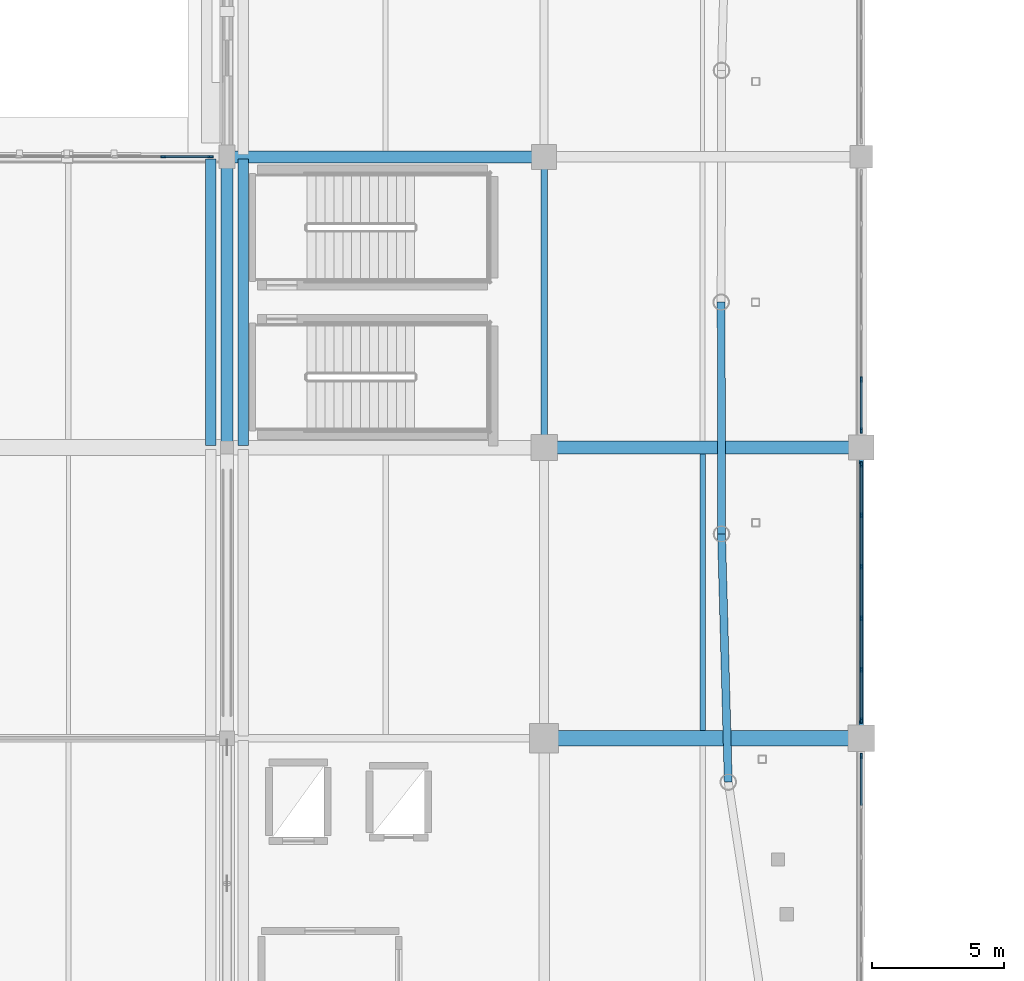
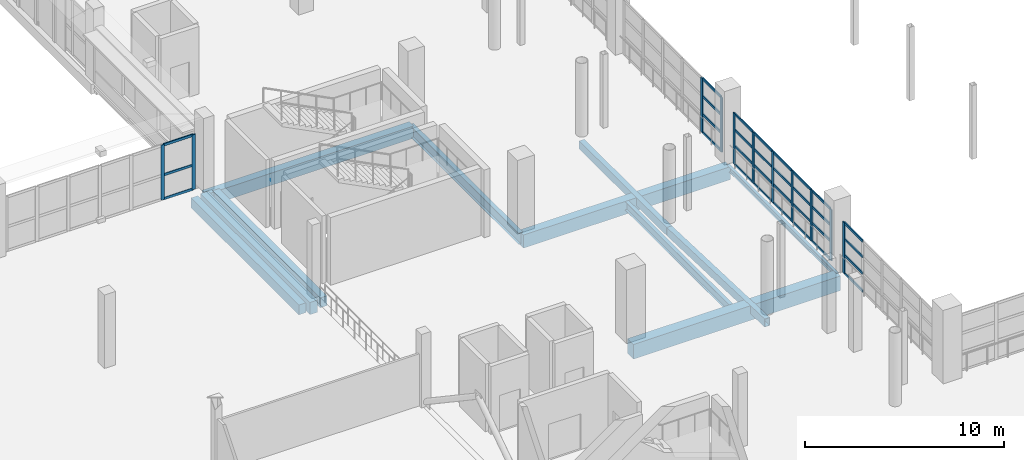
# One storey, part 31 of 118: 42 members, 11 beams, 4 elements without a shape of their own.
"""IFC4 building model written with IfcOpenShell, lengths in metres."""

from ifc_helpers import new_model, si_unit, direction, frame, origin, origin_2d, place, context, subcontext, project, spatial, rectangle, hollow_rectangle, i_section, extrude, material, material_profile, profile_set, type_object, element, aggregate, save


model = new_model("IFC4")

# Units and contexts
model_context = context("Model", 3, precision=1e-05, world=origin(), true_north=direction((0.0, 1.0)))
body_context = subcontext(model_context, "Body", "Model", "MODEL_VIEW")
ifc_project = project(units=[si_unit("LENGTHUNIT", "METRE"), si_unit("AREAUNIT", "SQUARE_METRE"), si_unit("VOLUMEUNIT", "CUBIC_METRE"), si_unit("PLANEANGLEUNIT", "RADIAN"), si_unit("MASSUNIT", "GRAM", prefix="KILO")], contexts=[model_context])

# Site, building, storey
site_placement = place(None, origin())
site = spatial("IfcSite", under=ifc_project, at=site_placement, CompositionType="ELEMENT")
building_placement = place(site_placement, origin())
building = spatial("IfcBuilding", under=site, at=building_placement, Name="Luwafu Chhajja Arena", CompositionType="ELEMENT")
storey_placement = place(building_placement, frame((0.0, 0.0, 10.199951171875)))
storey = spatial("IfcBuildingStorey", under=building, at=storey_placement, Name="L02", CompositionType="ELEMENT", Elevation=10.199951171875)

# Curtain wall, members
ifc_material_1 = material(Name="Anodised bronze aluminium", Category="aluminium")
curtain_wall_type_1 = type_object("IfcCurtainWallType", Name="VIP Club Terrace Curtain Wall", PredefinedType="USERDEFINED", material=ifc_material_1)
curtain_wall_1_placement = place(storey_placement, origin())
curtain_wall_1 = element("IfcCurtainWall", 1, at=curtain_wall_1_placement, inside=storey, type_object=curtain_wall_type_1, Name="L02 Curtain Wall CWG-L02-H02_05", ObjectType="CURTAIN WALL", PredefinedType="USERDEFINED")
ifc_material_profile_1 = material_profile(ifc_material_1, rectangle(XDim=0.06494140625, YDim=0.199951171875, at=origin_2d()), Name="CWM 65x200")
ifc_profile_set_1 = profile_set([ifc_material_profile_1], Name="Anodised bronze aluminium")
member_type_1 = type_object("IfcMemberType", Name="Bronze Curtain Wall Mullion 65x200", PredefinedType="MULLION", material=ifc_profile_set_1)
member_1_placement = place(storey_placement, frame((31.5859375, 55.0, 0.030029296875), z_axis=(0.0, 0.0, 1.0), x_axis=(0.0, 1.0, 0.0)))
member_1 = element("IfcMember", 2, at=member_1_placement, type_object=member_type_1, Name="CW-10 mullion 6", PredefinedType="MULLION", context=body_context, shape_type="SweptSolid", body=[
    extrude(rectangle(XDim=0.06494140625, YDim=0.199951171875, at=origin_2d()), origin(), (0.0, 0.0, 1.0), 3.360107421875),
])
member_2_placement = place(storey_placement, frame((33.37744140625, 55.0, 0.030029296875), z_axis=(0.0, 0.0, 1.0), x_axis=(0.0, 1.0, 0.0)))
member_2 = element("IfcMember", 3, at=member_2_placement, type_object=member_type_1, Name="CW-10 mullion 7", PredefinedType="MULLION", context=body_context, shape_type="SweptSolid", body=[
    extrude(rectangle(XDim=0.06494140625, YDim=0.199951171875, at=origin_2d()), origin(), (0.0, 0.0, 1.0), 3.360107421875),
])

# Curtain wall, member
curtain_wall_type_2 = type_object("IfcCurtainWallType", Name="Hospitality Ring Curtain Wall", PredefinedType="USERDEFINED", material=ifc_material_1)
curtain_wall_2_placement = place(storey_placement, origin())
curtain_wall_2 = element("IfcCurtainWall", 4, at=curtain_wall_2_placement, inside=storey, type_object=curtain_wall_type_2, Name="L02 Bowl Viewing Curtain Wall CWR-L02-15", ObjectType="CURTAIN WALL", PredefinedType="USERDEFINED")
member_3_placement = place(storey_placement, frame((58.0, 32.327392578125, 0.0), z_axis=(0.0, 0.0, 1.0), x_axis=(-1.0, 0.0, 0.0)))
member_3 = element("IfcMember", 5, at=member_3_placement, type_object=member_type_1, Name="CW-02 mullion 6", PredefinedType="MULLION", context=body_context, shape_type="SweptSolid", body=[
    extrude(rectangle(XDim=0.06494140625, YDim=0.199951171875, at=origin_2d()), origin(), (0.0, 0.0, 1.0), 3.14013671875),
])

# Curtain wall, members
curtain_wall_3_placement = place(storey_placement, origin())
curtain_wall_3 = element("IfcCurtainWall", 6, at=curtain_wall_3_placement, inside=storey, type_object=curtain_wall_type_2, Name="L02 Bowl Viewing Curtain Wall CWR-L02-16", ObjectType="CURTAIN WALL", PredefinedType="USERDEFINED")
member_4_placement = place(storey_placement, frame((58.0, 33.672607421875, 0.0), z_axis=(0.0, 0.0, 1.0), x_axis=(-1.0, 0.0, 0.0)))
member_4 = element("IfcMember", 7, at=member_4_placement, type_object=member_type_1, Name="CW-02 mullion 1", PredefinedType="MULLION", context=body_context, shape_type="SweptSolid", body=[
    extrude(rectangle(XDim=0.06494140625, YDim=0.199951171875, at=origin_2d()), origin(), (0.0, 0.0, 1.0), 3.14013671875),
])
member_5_placement = place(storey_placement, frame((58.0, 35.589111328125, 0.0), z_axis=(0.0, 0.0, 1.0), x_axis=(-1.0, 0.0, 0.0)))
member_5 = element("IfcMember", 8, at=member_5_placement, type_object=member_type_1, Name="CW-02 mullion 2", PredefinedType="MULLION", context=body_context, shape_type="SweptSolid", body=[
    extrude(rectangle(XDim=0.06494140625, YDim=0.199951171875, at=origin_2d()), origin(), (0.0, 0.0, 1.0), 3.14013671875),
])
member_6_placement = place(storey_placement, frame((58.0, 37.5380859375, 0.0), z_axis=(0.0, 0.0, 1.0), x_axis=(-1.0, 0.0, 0.0)))
member_6 = element("IfcMember", 9, at=member_6_placement, type_object=member_type_1, Name="CW-02 mullion 3", PredefinedType="MULLION", context=body_context, shape_type="SweptSolid", body=[
    extrude(rectangle(XDim=0.06494140625, YDim=0.199951171875, at=origin_2d()), origin(), (0.0, 0.0, 1.0), 3.14013671875),
])
member_7_placement = place(storey_placement, frame((58.0, 39.487060546875, 0.0), z_axis=(0.0, 0.0, 1.0), x_axis=(-1.0, 0.0, 0.0)))
member_7 = element("IfcMember", 10, at=member_7_placement, type_object=member_type_1, Name="CW-02 mullion 4", PredefinedType="MULLION", context=body_context, shape_type="SweptSolid", body=[
    extrude(rectangle(XDim=0.06494140625, YDim=0.199951171875, at=origin_2d()), origin(), (0.0, 0.0, 1.0), 3.14013671875),
])
member_8_placement = place(storey_placement, frame((58.0, 41.43603515625, 0.0), z_axis=(0.0, 0.0, 1.0), x_axis=(-1.0, 0.0, 0.0)))
member_8 = element("IfcMember", 11, at=member_8_placement, type_object=member_type_1, Name="CW-02 mullion 5", PredefinedType="MULLION", context=body_context, shape_type="SweptSolid", body=[
    extrude(rectangle(XDim=0.06494140625, YDim=0.199951171875, at=origin_2d()), origin(), (0.0, 0.0, 1.0), 3.14013671875),
])
member_9_placement = place(storey_placement, frame((58.0, 43.3525390625, 0.0), z_axis=(0.0, 0.0, 1.0), x_axis=(-1.0, 0.0, 0.0)))
member_9 = element("IfcMember", 12, at=member_9_placement, type_object=member_type_1, Name="CW-02 mullion 6", PredefinedType="MULLION", context=body_context, shape_type="SweptSolid", body=[
    extrude(rectangle(XDim=0.06494140625, YDim=0.199951171875, at=origin_2d()), origin(), (0.0, 0.0, 1.0), 3.14013671875),
])

curtain_wall_4_placement = place(storey_placement, origin())
curtain_wall_4 = element("IfcCurtainWall", 13, at=curtain_wall_4_placement, inside=storey, type_object=curtain_wall_type_2, Name="L02 Bowl Viewing Curtain Wall CWR-L02-17", ObjectType="CURTAIN WALL", PredefinedType="USERDEFINED")
member_10_placement = place(storey_placement, frame((58.0, 44.6474609375, 0.0), z_axis=(0.0, 0.0, 1.0), x_axis=(-1.0, 0.0, 0.0)))
member_10 = element("IfcMember", 14, at=member_10_placement, type_object=member_type_1, Name="CW-02 mullion 1", PredefinedType="MULLION", context=body_context, shape_type="SweptSolid", body=[
    extrude(rectangle(XDim=0.06494140625, YDim=0.199951171875, at=origin_2d()), origin(), (0.0, 0.0, 1.0), 3.340087890625),
])
member_11_placement = place(storey_placement, frame((58.0, 46.5791015625, 0.0), z_axis=(0.0, 0.0, 1.0), x_axis=(-1.0, 0.0, 0.0)))
member_11 = element("IfcMember", 15, at=member_11_placement, type_object=member_type_1, Name="CW-02 mullion 2", PredefinedType="MULLION", context=body_context, shape_type="SweptSolid", body=[
    extrude(rectangle(XDim=0.06494140625, YDim=0.199951171875, at=origin_2d()), origin(), (0.0, 0.0, 1.0), 3.340087890625),
])

# Member
ifc_material_profile_2 = material_profile(ifc_material_1, rectangle(XDim=0.06494140625, YDim=0.14990234375, at=origin_2d()), Name="CWT 65x150")
ifc_profile_set_2 = profile_set([ifc_material_profile_2], Name="Anodised bronze aluminium")
member_type_2 = type_object("IfcMemberType", Name="Bronze Curtain Wall Transom 65x150", PredefinedType="USERDEFINED", material=ifc_profile_set_2)
member_12_placement = place(storey_placement, frame((31.618408203125, 55.0, 0.0625), z_axis=(1.0, 0.0, 0.0), x_axis=(0.0, 1.0, 0.0)))
member_12 = element("IfcMember", 16, at=member_12_placement, type_object=member_type_2, Name="CW-10 transom 6.1", ObjectType="TRANSOM", PredefinedType="USERDEFINED", context=body_context, shape_type="SweptSolid", body=[
    extrude(rectangle(XDim=0.06494140625, YDim=0.14990234375, at=origin_2d()), origin(), (0.0, 0.0, 1.0), 1.7265625),
])

member_13_placement = place(storey_placement, frame((31.618408203125, 55.0, 1.525634765625), z_axis=(1.0, 0.0, 0.0), x_axis=(0.0, 1.0, 0.0)))
member_13 = element("IfcMember", 17, at=member_13_placement, type_object=member_type_2, Name="CW-10 transom 6.2", ObjectType="TRANSOM", PredefinedType="USERDEFINED", context=body_context, shape_type="SweptSolid", body=[
    extrude(rectangle(XDim=0.06494140625, YDim=0.14990234375, at=origin_2d()), origin(), (0.0, 0.0, 1.0), 1.7265625),
])

member_14_placement = place(storey_placement, frame((31.618408203125, 55.0, 3.357666015625), z_axis=(1.0, 0.0, 0.0), x_axis=(0.0, 1.0, 0.0)))
member_14 = element("IfcMember", 18, at=member_14_placement, type_object=member_type_2, Name="CW-10 transom 6.3", ObjectType="TRANSOM", PredefinedType="USERDEFINED", context=body_context, shape_type="SweptSolid", body=[
    extrude(rectangle(XDim=0.06494140625, YDim=0.14990234375, at=origin_2d()), origin(), (0.0, 0.0, 1.0), 1.7265625),
])

aggregate(curtain_wall_1, [member_1, member_2, member_12, member_13, member_14])

member_15_placement = place(storey_placement, frame((58.0, 30.45849609375, 0.032470703125), z_axis=(0.0, 1.0, 0.0), x_axis=(-1.0, 0.0, 0.0)))
member_15 = element("IfcMember", 19, at=member_15_placement, type_object=member_type_2, Name="CW-02 transom 5.1", ObjectType="TRANSOM", PredefinedType="USERDEFINED", context=body_context, shape_type="SweptSolid", body=[
    extrude(rectangle(XDim=0.06494140625, YDim=0.14990234375, at=origin_2d()), origin(), (0.0, 0.0, 1.0), 1.83642578125),
])

member_16_placement = place(storey_placement, frame((58.0, 30.45849609375, 1.150146484375), z_axis=(0.0, 1.0, 0.0), x_axis=(-1.0, 0.0, 0.0)))
member_16 = element("IfcMember", 20, at=member_16_placement, type_object=member_type_2, Name="CW-02 transom 5.2", ObjectType="TRANSOM", PredefinedType="USERDEFINED", context=body_context, shape_type="SweptSolid", body=[
    extrude(rectangle(XDim=0.06494140625, YDim=0.14990234375, at=origin_2d()), origin(), (0.0, 0.0, 1.0), 1.83642578125),
])

member_17_placement = place(storey_placement, frame((58.0, 30.45849609375, 2.14501953125), z_axis=(0.0, 1.0, 0.0), x_axis=(-1.0, 0.0, 0.0)))
member_17 = element("IfcMember", 21, at=member_17_placement, type_object=member_type_2, Name="CW-02 transom 5.3", ObjectType="TRANSOM", PredefinedType="USERDEFINED", context=body_context, shape_type="SweptSolid", body=[
    extrude(rectangle(XDim=0.06494140625, YDim=0.14990234375, at=origin_2d()), origin(), (0.0, 0.0, 1.0), 1.83642578125),
])

member_18_placement = place(storey_placement, frame((58.0, 30.45849609375, 3.107666015625), z_axis=(0.0, 1.0, 0.0), x_axis=(-1.0, 0.0, 0.0)))
member_18 = element("IfcMember", 22, at=member_18_placement, type_object=member_type_2, Name="CW-02 transom 5.4", ObjectType="TRANSOM", PredefinedType="USERDEFINED", context=body_context, shape_type="SweptSolid", body=[
    extrude(rectangle(XDim=0.06494140625, YDim=0.14990234375, at=origin_2d()), origin(), (0.0, 0.0, 1.0), 1.83642578125),
])

aggregate(curtain_wall_2, [member_3, member_15, member_16, member_17, member_18])

member_19_placement = place(storey_placement, frame((58.0, 33.705078125, 0.032470703125), z_axis=(0.0, 1.0, 0.0), x_axis=(-1.0, 0.0, 0.0)))
member_19 = element("IfcMember", 23, at=member_19_placement, type_object=member_type_2, Name="CW-02 transom 1.1", ObjectType="TRANSOM", PredefinedType="USERDEFINED", context=body_context, shape_type="SweptSolid", body=[
    extrude(rectangle(XDim=0.06494140625, YDim=0.14990234375, at=origin_2d()), origin(), (0.0, 0.0, 1.0), 1.851318359375),
])

member_20_placement = place(storey_placement, frame((58.0, 33.705078125, 1.150146484375), z_axis=(0.0, 1.0, 0.0), x_axis=(-1.0, 0.0, 0.0)))
member_20 = element("IfcMember", 24, at=member_20_placement, type_object=member_type_2, Name="CW-02 transom 1.2", ObjectType="TRANSOM", PredefinedType="USERDEFINED", context=body_context, shape_type="SweptSolid", body=[
    extrude(rectangle(XDim=0.06494140625, YDim=0.14990234375, at=origin_2d()), origin(), (0.0, 0.0, 1.0), 1.851318359375),
])

member_21_placement = place(storey_placement, frame((58.0, 33.705078125, 2.14501953125), z_axis=(0.0, 1.0, 0.0), x_axis=(-1.0, 0.0, 0.0)))
member_21 = element("IfcMember", 25, at=member_21_placement, type_object=member_type_2, Name="CW-02 transom 1.3", ObjectType="TRANSOM", PredefinedType="USERDEFINED", context=body_context, shape_type="SweptSolid", body=[
    extrude(rectangle(XDim=0.06494140625, YDim=0.14990234375, at=origin_2d()), origin(), (0.0, 0.0, 1.0), 1.851318359375),
])

member_22_placement = place(storey_placement, frame((58.0, 33.705078125, 3.107666015625), z_axis=(0.0, 1.0, 0.0), x_axis=(-1.0, 0.0, 0.0)))
member_22 = element("IfcMember", 26, at=member_22_placement, type_object=member_type_2, Name="CW-02 transom 1.4", ObjectType="TRANSOM", PredefinedType="USERDEFINED", context=body_context, shape_type="SweptSolid", body=[
    extrude(rectangle(XDim=0.06494140625, YDim=0.14990234375, at=origin_2d()), origin(), (0.0, 0.0, 1.0), 1.851318359375),
])

member_23_placement = place(storey_placement, frame((58.0, 35.62158203125, 0.032470703125), z_axis=(0.0, 1.0, 0.0), x_axis=(-1.0, 0.0, 0.0)))
member_23 = element("IfcMember", 27, at=member_23_placement, type_object=member_type_2, Name="CW-02 transom 2.1", ObjectType="TRANSOM", PredefinedType="USERDEFINED", context=body_context, shape_type="SweptSolid", body=[
    extrude(rectangle(XDim=0.06494140625, YDim=0.14990234375, at=origin_2d()), origin(), (0.0, 0.0, 1.0), 1.884033203125),
])

member_24_placement = place(storey_placement, frame((58.0, 35.62158203125, 1.150146484375), z_axis=(0.0, 1.0, 0.0), x_axis=(-1.0, 0.0, 0.0)))
member_24 = element("IfcMember", 28, at=member_24_placement, type_object=member_type_2, Name="CW-02 transom 2.2", ObjectType="TRANSOM", PredefinedType="USERDEFINED", context=body_context, shape_type="SweptSolid", body=[
    extrude(rectangle(XDim=0.06494140625, YDim=0.14990234375, at=origin_2d()), origin(), (0.0, 0.0, 1.0), 1.884033203125),
])

member_25_placement = place(storey_placement, frame((58.0, 35.62158203125, 2.14501953125), z_axis=(0.0, 1.0, 0.0), x_axis=(-1.0, 0.0, 0.0)))
member_25 = element("IfcMember", 29, at=member_25_placement, type_object=member_type_2, Name="CW-02 transom 2.3", ObjectType="TRANSOM", PredefinedType="USERDEFINED", context=body_context, shape_type="SweptSolid", body=[
    extrude(rectangle(XDim=0.06494140625, YDim=0.14990234375, at=origin_2d()), origin(), (0.0, 0.0, 1.0), 1.884033203125),
])

member_26_placement = place(storey_placement, frame((58.0, 35.62158203125, 3.107666015625), z_axis=(0.0, 1.0, 0.0), x_axis=(-1.0, 0.0, 0.0)))
member_26 = element("IfcMember", 30, at=member_26_placement, type_object=member_type_2, Name="CW-02 transom 2.4", ObjectType="TRANSOM", PredefinedType="USERDEFINED", context=body_context, shape_type="SweptSolid", body=[
    extrude(rectangle(XDim=0.06494140625, YDim=0.14990234375, at=origin_2d()), origin(), (0.0, 0.0, 1.0), 1.884033203125),
])

member_27_placement = place(storey_placement, frame((58.0, 37.570556640625, 0.032470703125), z_axis=(0.0, 1.0, 0.0), x_axis=(-1.0, 0.0, 0.0)))
member_27 = element("IfcMember", 31, at=member_27_placement, type_object=member_type_2, Name="CW-02 transom 3.1", ObjectType="TRANSOM", PredefinedType="USERDEFINED", context=body_context, shape_type="SweptSolid", body=[
    extrude(rectangle(XDim=0.06494140625, YDim=0.14990234375, at=origin_2d()), origin(), (0.0, 0.0, 1.0), 1.884033203125),
])

member_28_placement = place(storey_placement, frame((58.0, 37.570556640625, 1.150146484375), z_axis=(0.0, 1.0, 0.0), x_axis=(-1.0, 0.0, 0.0)))
member_28 = element("IfcMember", 32, at=member_28_placement, type_object=member_type_2, Name="CW-02 transom 3.2", ObjectType="TRANSOM", PredefinedType="USERDEFINED", context=body_context, shape_type="SweptSolid", body=[
    extrude(rectangle(XDim=0.06494140625, YDim=0.14990234375, at=origin_2d()), origin(), (0.0, 0.0, 1.0), 1.884033203125),
])

member_29_placement = place(storey_placement, frame((58.0, 37.570556640625, 2.14501953125), z_axis=(0.0, 1.0, 0.0), x_axis=(-1.0, 0.0, 0.0)))
member_29 = element("IfcMember", 33, at=member_29_placement, type_object=member_type_2, Name="CW-02 transom 3.3", ObjectType="TRANSOM", PredefinedType="USERDEFINED", context=body_context, shape_type="SweptSolid", body=[
    extrude(rectangle(XDim=0.06494140625, YDim=0.14990234375, at=origin_2d()), origin(), (0.0, 0.0, 1.0), 1.884033203125),
])

member_30_placement = place(storey_placement, frame((58.0, 37.570556640625, 3.107666015625), z_axis=(0.0, 1.0, 0.0), x_axis=(-1.0, 0.0, 0.0)))
member_30 = element("IfcMember", 34, at=member_30_placement, type_object=member_type_2, Name="CW-02 transom 3.4", ObjectType="TRANSOM", PredefinedType="USERDEFINED", context=body_context, shape_type="SweptSolid", body=[
    extrude(rectangle(XDim=0.06494140625, YDim=0.14990234375, at=origin_2d()), origin(), (0.0, 0.0, 1.0), 1.884033203125),
])

member_31_placement = place(storey_placement, frame((58.0, 39.51953125, 0.032470703125), z_axis=(0.0, 1.0, 0.0), x_axis=(-1.0, 0.0, 0.0)))
member_31 = element("IfcMember", 35, at=member_31_placement, type_object=member_type_2, Name="CW-02 transom 4.1", ObjectType="TRANSOM", PredefinedType="USERDEFINED", context=body_context, shape_type="SweptSolid", body=[
    extrude(rectangle(XDim=0.06494140625, YDim=0.14990234375, at=origin_2d()), origin(), (0.0, 0.0, 1.0), 1.884033203125),
])

member_32_placement = place(storey_placement, frame((58.0, 39.51953125, 1.150146484375), z_axis=(0.0, 1.0, 0.0), x_axis=(-1.0, 0.0, 0.0)))
member_32 = element("IfcMember", 36, at=member_32_placement, type_object=member_type_2, Name="CW-02 transom 4.2", ObjectType="TRANSOM", PredefinedType="USERDEFINED", context=body_context, shape_type="SweptSolid", body=[
    extrude(rectangle(XDim=0.06494140625, YDim=0.14990234375, at=origin_2d()), origin(), (0.0, 0.0, 1.0), 1.884033203125),
])

member_33_placement = place(storey_placement, frame((58.0, 39.51953125, 2.14501953125), z_axis=(0.0, 1.0, 0.0), x_axis=(-1.0, 0.0, 0.0)))
member_33 = element("IfcMember", 37, at=member_33_placement, type_object=member_type_2, Name="CW-02 transom 4.3", ObjectType="TRANSOM", PredefinedType="USERDEFINED", context=body_context, shape_type="SweptSolid", body=[
    extrude(rectangle(XDim=0.06494140625, YDim=0.14990234375, at=origin_2d()), origin(), (0.0, 0.0, 1.0), 1.884033203125),
])

member_34_placement = place(storey_placement, frame((58.0, 39.51953125, 3.107666015625), z_axis=(0.0, 1.0, 0.0), x_axis=(-1.0, 0.0, 0.0)))
member_34 = element("IfcMember", 38, at=member_34_placement, type_object=member_type_2, Name="CW-02 transom 4.4", ObjectType="TRANSOM", PredefinedType="USERDEFINED", context=body_context, shape_type="SweptSolid", body=[
    extrude(rectangle(XDim=0.06494140625, YDim=0.14990234375, at=origin_2d()), origin(), (0.0, 0.0, 1.0), 1.884033203125),
])

member_35_placement = place(storey_placement, frame((58.0, 41.468505859375, 0.032470703125), z_axis=(0.0, 1.0, 0.0), x_axis=(-1.0, 0.0, 0.0)))
member_35 = element("IfcMember", 39, at=member_35_placement, type_object=member_type_2, Name="CW-02 transom 5.1", ObjectType="TRANSOM", PredefinedType="USERDEFINED", context=body_context, shape_type="SweptSolid", body=[
    extrude(rectangle(XDim=0.06494140625, YDim=0.14990234375, at=origin_2d()), origin(), (0.0, 0.0, 1.0), 1.8515625),
])

member_36_placement = place(storey_placement, frame((58.0, 41.468505859375, 1.150146484375), z_axis=(0.0, 1.0, 0.0), x_axis=(-1.0, 0.0, 0.0)))
member_36 = element("IfcMember", 40, at=member_36_placement, type_object=member_type_2, Name="CW-02 transom 5.2", ObjectType="TRANSOM", PredefinedType="USERDEFINED", context=body_context, shape_type="SweptSolid", body=[
    extrude(rectangle(XDim=0.06494140625, YDim=0.14990234375, at=origin_2d()), origin(), (0.0, 0.0, 1.0), 1.8515625),
])

member_37_placement = place(storey_placement, frame((58.0, 41.468505859375, 2.14501953125), z_axis=(0.0, 1.0, 0.0), x_axis=(-1.0, 0.0, 0.0)))
member_37 = element("IfcMember", 41, at=member_37_placement, type_object=member_type_2, Name="CW-02 transom 5.3", ObjectType="TRANSOM", PredefinedType="USERDEFINED", context=body_context, shape_type="SweptSolid", body=[
    extrude(rectangle(XDim=0.06494140625, YDim=0.14990234375, at=origin_2d()), origin(), (0.0, 0.0, 1.0), 1.8515625),
])

member_38_placement = place(storey_placement, frame((58.0, 41.468505859375, 3.107666015625), z_axis=(0.0, 1.0, 0.0), x_axis=(-1.0, 0.0, 0.0)))
member_38 = element("IfcMember", 42, at=member_38_placement, type_object=member_type_2, Name="CW-02 transom 5.4", ObjectType="TRANSOM", PredefinedType="USERDEFINED", context=body_context, shape_type="SweptSolid", body=[
    extrude(rectangle(XDim=0.06494140625, YDim=0.14990234375, at=origin_2d()), origin(), (0.0, 0.0, 1.0), 1.8515625),
])

aggregate(curtain_wall_3, [member_4, member_5, member_6, member_7, member_8, member_9, member_19, member_20, member_21, member_22, member_23, member_24, member_25, member_26, member_27, member_28, member_29, member_30, member_31, member_32, member_33, member_34, member_35, member_36, member_37, member_38])

member_39_placement = place(storey_placement, frame((58.0, 44.679931640625, 0.032470703125), z_axis=(0.0, 1.0, 0.0), x_axis=(-1.0, 0.0, 0.0)))
member_39 = element("IfcMember", 43, at=member_39_placement, type_object=member_type_2, Name="CW-02 transom 1.1", ObjectType="TRANSOM", PredefinedType="USERDEFINED", context=body_context, shape_type="SweptSolid", body=[
    extrude(rectangle(XDim=0.06494140625, YDim=0.14990234375, at=origin_2d()), origin(), (0.0, 0.0, 1.0), 1.866455078125),
])

member_40_placement = place(storey_placement, frame((58.0, 44.679931640625, 1.150146484375), z_axis=(0.0, 1.0, 0.0), x_axis=(-1.0, 0.0, 0.0)))
member_40 = element("IfcMember", 44, at=member_40_placement, type_object=member_type_2, Name="CW-02 transom 1.2", ObjectType="TRANSOM", PredefinedType="USERDEFINED", context=body_context, shape_type="SweptSolid", body=[
    extrude(rectangle(XDim=0.06494140625, YDim=0.14990234375, at=origin_2d()), origin(), (0.0, 0.0, 1.0), 1.866455078125),
])

member_41_placement = place(storey_placement, frame((58.0, 44.679931640625, 2.2451171875), z_axis=(0.0, 1.0, 0.0), x_axis=(-1.0, 0.0, 0.0)))
member_41 = element("IfcMember", 45, at=member_41_placement, type_object=member_type_2, Name="CW-02 transom 1.3", ObjectType="TRANSOM", PredefinedType="USERDEFINED", context=body_context, shape_type="SweptSolid", body=[
    extrude(rectangle(XDim=0.06494140625, YDim=0.14990234375, at=origin_2d()), origin(), (0.0, 0.0, 1.0), 1.866455078125),
])

member_42_placement = place(storey_placement, frame((58.0, 44.679931640625, 3.3076171875), z_axis=(0.0, 1.0, 0.0), x_axis=(-1.0, 0.0, 0.0)))
member_42 = element("IfcMember", 46, at=member_42_placement, type_object=member_type_2, Name="CW-02 transom 1.4", ObjectType="TRANSOM", PredefinedType="USERDEFINED", context=body_context, shape_type="SweptSolid", body=[
    extrude(rectangle(XDim=0.06494140625, YDim=0.14990234375, at=origin_2d()), origin(), (0.0, 0.0, 1.0), 1.866455078125),
])

aggregate(curtain_wall_4, [member_10, member_11, member_39, member_40, member_41, member_42])

# Beams
ifc_material_2 = material(Name="Steel S355", Category="steel")
ifc_material_profile_3 = material_profile(ifc_material_2, i_section(OverallWidth=0.165771484375, OverallDepth=0.306640625, WebThickness=0.006591796875, FlangeThickness=0.01171875, at=origin_2d()), Name="UB 305x165x46")
ifc_profile_set_3 = profile_set([ifc_material_profile_3], Name="Steel S355")
beam_type_1 = type_object("IfcBeamType", Name="Concourse Edge Spandrel Beam UB 305x165x46", PredefinedType="SPANDREL", material=ifc_profile_set_3)
beam_1_placement = place(storey_placement, frame((58.0, 33.0, -0.543212890625), z_axis=(0.0, 1.0, 0.0), x_axis=(-1.0, 0.0, 0.0)))
element("IfcBeam", 47, at=beam_1_placement, inside=storey, type_object=beam_type_1, Name="L02 Grid Beam 6/D-E", PredefinedType="SPANDREL", context=body_context, shape_type="SweptSolid", body=[
    extrude(i_section(OverallWidth=0.165771484375, OverallDepth=0.306640625, WebThickness=0.006591796875, FlangeThickness=0.01171875, at=origin_2d()), origin(), (0.0, 0.0, 1.0), 11.0),
])
ifc_material_3 = material(Name="Concrete C35/45", Category="concrete")
ifc_material_profile_4 = material_profile(ifc_material_3, rectangle(XDim=0.60009765625, YDim=0.89990234375, at=origin_2d()), Name="RC 600x900")
ifc_profile_set_4 = profile_set([ifc_material_profile_4], Name="Concrete C35/45")
beam_type_2 = type_object("IfcBeamType", Name="Concourse Primary Girder RC 600x900", PredefinedType="BEAM", material=ifc_profile_set_4)
beam_2_placement = place(storey_placement, frame((46.0, 33.0, -0.83984375), z_axis=(1.0, 0.0, 0.0), x_axis=(0.0, 1.0, 0.0)))
element("IfcBeam", 48, at=beam_2_placement, inside=storey, type_object=beam_type_2, Name="L02 Grid Beam 5-6/D", PredefinedType="BEAM", context=body_context, shape_type="SweptSolid", body=[
    extrude(rectangle(XDim=0.60009765625, YDim=0.89990234375, at=origin_2d()), origin(), (0.0, 0.0, 1.0), 12.0),
])
ifc_material_profile_5 = material_profile(ifc_material_2, i_section(OverallWidth=0.209228515625, OverallDepth=0.533203125, WebThickness=0.010009765625, FlangeThickness=0.015625, at=origin_2d()), Name="UB 533x210x92")
ifc_profile_set_5 = profile_set([ifc_material_profile_5], Name="Steel S355")
beam_type_3 = type_object("IfcBeamType", Name="Floor Joist UB 533x210x92", PredefinedType="JOIST", material=ifc_profile_set_5)
beam_3_placement = place(storey_placement, frame((52.0, 33.300048828125, -0.656494140625), z_axis=(0.0, 1.0, 0.0), x_axis=(-1.0, 0.0, 0.0)))
element("IfcBeam", 49, at=beam_3_placement, inside=storey, type_object=beam_type_3, Name="L02 Secondary Joist 5-6/D", PredefinedType="JOIST", context=body_context, shape_type="SweptSolid", body=[
    extrude(i_section(OverallWidth=0.209228515625, OverallDepth=0.533203125, WebThickness=0.010009765625, FlangeThickness=0.015625, at=origin_2d()), origin(), (0.0, 0.0, 1.0), 10.449951171875),
])
ifc_material_profile_6 = material_profile(ifc_material_3, rectangle(XDim=0.5, YDim=0.800048828125, at=origin_2d()), Name="RC 500x800")
ifc_profile_set_6 = profile_set([ifc_material_profile_6], Name="Concrete C35/45")
beam_type_4 = type_object("IfcBeamType", Name="Hospitality Primary Beam RC 500x800", PredefinedType="BEAM", material=ifc_profile_set_6)
beam_4_placement = place(storey_placement, frame((46.0, 44.0, -0.7900390625), z_axis=(1.0, 0.0, 0.0), x_axis=(0.0, 1.0, 0.0)))
element("IfcBeam", 50, at=beam_4_placement, inside=storey, type_object=beam_type_4, Name="L02 Grid Beam 5-6/E", PredefinedType="BEAM", context=body_context, shape_type="SweptSolid", body=[
    extrude(rectangle(XDim=0.5, YDim=0.800048828125, at=origin_2d()), origin(), (0.0, 0.0, 1.0), 12.0),
])
ifc_material_profile_7 = material_profile(ifc_material_2, hollow_rectangle(XDim=0.300048828125, YDim=0.5, WallThickness=0.02001953125, at=origin_2d()), Name="RHS 500x300x20")
ifc_profile_set_7 = profile_set([ifc_material_profile_7], Name="Steel S355")
beam_type_5 = type_object("IfcBeamType", Name="Pleated Drum Spandrel Beam RHS 500x300", PredefinedType="SPANDREL", material=ifc_profile_set_7)
beam_5_placement = place(storey_placement, frame((52.699951171875, 49.5, -0.639892578125), z_axis=(0.001419780869, -0.999998992111, 0.0), x_axis=(0.999998992111, 0.001419780869, 0.0)))
element("IfcBeam", 51, at=beam_5_placement, inside=storey, type_object=beam_type_5, Name="L02 Drum Ring Spandrel D17-D18", PredefinedType="SPANDREL", context=body_context, shape_type="SweptSolid", body=[
    extrude(hollow_rectangle(XDim=0.300048828125, YDim=0.5, WallThickness=0.02001953125, at=origin_2d()), origin(), (0.0, 0.0, 1.0), 8.769775390625),
])
beam_6_placement = place(storey_placement, frame((52.71240234375, 40.730224609375, -0.639892578125), z_axis=(0.02720805866, -0.999629792245, 0.0), x_axis=(0.999629792245, 0.02720805866, 0.0)))
element("IfcBeam", 52, at=beam_6_placement, inside=storey, type_object=beam_type_5, Name="L02 Drum Ring Spandrel D18-D19", PredefinedType="SPANDREL", context=body_context, shape_type="SweptSolid", body=[
    extrude(hollow_rectangle(XDim=0.300048828125, YDim=0.5, WallThickness=0.02001953125, at=origin_2d()), origin(), (0.0, 0.0, 1.0), 9.394775390625),
])
ifc_material_profile_8 = material_profile(ifc_material_3, rectangle(XDim=0.39990234375, YDim=0.60009765625, at=origin_2d()), Name="RC 400x600")
ifc_profile_set_8 = profile_set([ifc_material_profile_8], Name="Concrete C35/45")
beam_type_6 = type_object("IfcBeamType", Name="Podium Perimeter Spandrel RC 400x600", PredefinedType="SPANDREL", material=ifc_profile_set_8)
for number, where, z_axis, x_axis, name in (
    (53, (33.3798828125, 44.080078125, -0.68994140625), (0.0, 1.0, 0.0), (-1.0, 0.0, 0.0), "L02 Movement Joint MJ1W Seat Girder 04"),
    (54, (34.6201171875, 44.080078125, -0.68994140625), (0.0, 1.0, 0.0), (-1.0, 0.0, 0.0), "L02 Movement Joint MJ1E Seat Girder 04"),
):
    element("IfcBeam", number, at=place(storey_placement, frame(where, z_axis=z_axis, x_axis=x_axis)), inside=storey, type_object=beam_type_6, Name=name, PredefinedType="SPANDREL", context=body_context, shape_type="SweptSolid", body=[
        extrude(rectangle(XDim=0.39990234375, YDim=0.60009765625, at=origin_2d()), origin(), (0.0, 0.0, 1.0), 10.83984375),
    ])
ifc_material_profile_9 = material_profile(ifc_material_2, i_section(OverallWidth=0.253662109375, OverallDepth=0.68359375, WebThickness=0.012451171875, FlangeThickness=0.01904296875, at=origin_2d()), Name="UB 686x254x140")
ifc_profile_set_9 = profile_set([ifc_material_profile_9], Name="Steel S355")
beam_type_7 = type_object("IfcBeamType", Name="Steel Concourse Girder UB 686x254x140", PredefinedType="BEAM", material=ifc_profile_set_9)
beam_7_placement = place(storey_placement, frame((46.0, 44.0, -0.731689453125), z_axis=(0.0, 1.0, 0.0), x_axis=(-1.0, 0.0, 0.0)))
element("IfcBeam", 55, at=beam_7_placement, inside=storey, type_object=beam_type_7, Name="L02 Grid Beam 5/E-F", PredefinedType="BEAM", context=body_context, shape_type="SweptSolid", body=[
    extrude(i_section(OverallWidth=0.253662109375, OverallDepth=0.68359375, WebThickness=0.012451171875, FlangeThickness=0.01904296875, at=origin_2d()), origin(), (0.0, 0.0, 1.0), 11.0),
])
ifc_material_profile_10 = material_profile(ifc_material_3, rectangle(XDim=0.449951171875, YDim=0.75, at=origin_2d()), Name="RC 450x750")
ifc_profile_set_10 = profile_set([ifc_material_profile_10], Name="Concrete C35/45")
beam_type_8 = type_object("IfcBeamType", Name="Wing Primary Beam RC 450x750", PredefinedType="BEAM", material=ifc_profile_set_10)
beam_8_placement = place(storey_placement, frame((34.0, 55.0, -0.764892578125), z_axis=(1.0, 0.0, 0.0), x_axis=(0.0, 1.0, 0.0)))
element("IfcBeam", 56, at=beam_8_placement, inside=storey, type_object=beam_type_8, Name="L02 Grid Beam 4-5/F", PredefinedType="BEAM", context=body_context, shape_type="SweptSolid", body=[
    extrude(rectangle(XDim=0.449951171875, YDim=0.75, at=origin_2d()), origin(), (0.0, 0.0, 1.0), 12.0),
])
beam_9_placement = place(storey_placement, frame((34.0, 44.0, -0.764892578125), z_axis=(0.0, 1.0, 0.0), x_axis=(-1.0, 0.0, 0.0)))
element("IfcBeam", 57, at=beam_9_placement, inside=storey, type_object=beam_type_8, Name="L02 Grid Beam 4/E-F", PredefinedType="BEAM", context=body_context, shape_type="SweptSolid", body=[
    extrude(rectangle(XDim=0.449951171875, YDim=0.75, at=origin_2d()), origin(), (0.0, 0.0, 1.0), 11.0),
])

save(model, "model.ifc")
